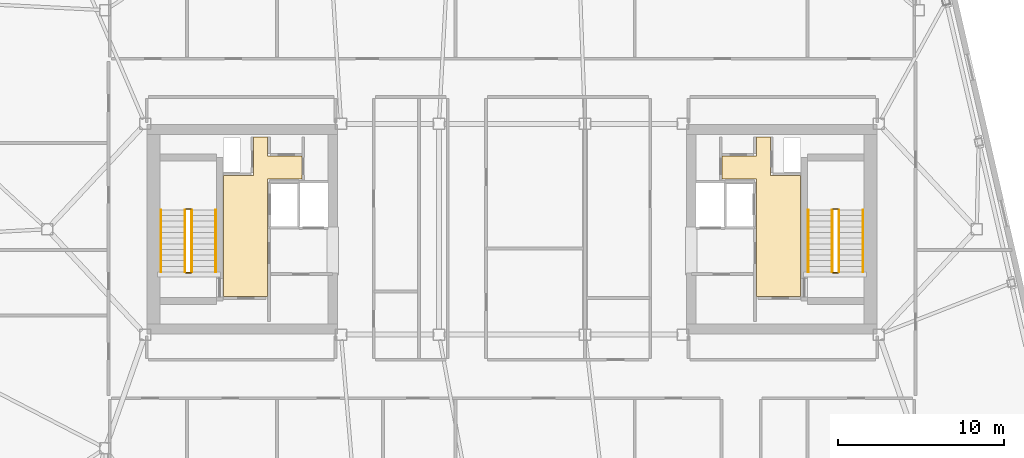
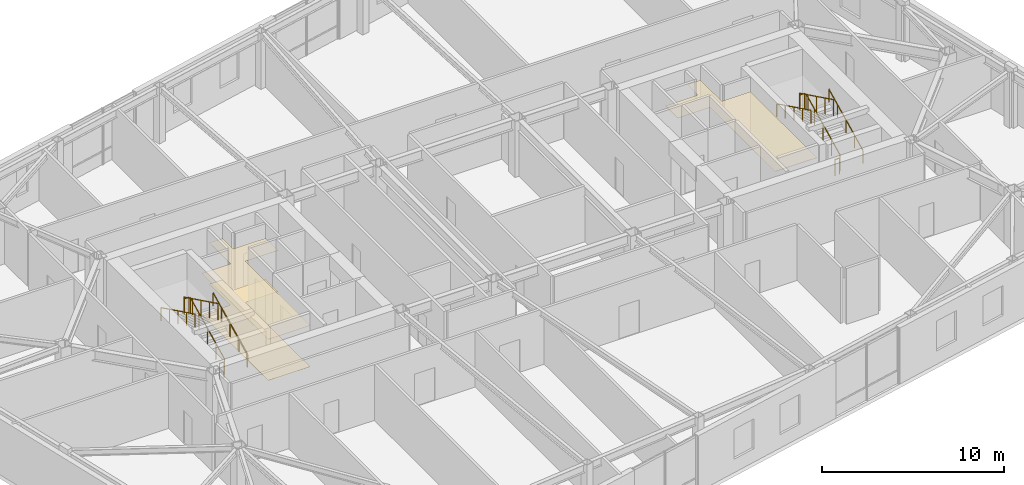
# One storey, part 23 of 23: 12 railings, 3 coverings.
"""IFC4 building model written with IfcOpenShell, lengths in metres."""

from ifc_helpers import new_model, si_unit, direction, frame, origin, origin_2d, place, context, subcontext, project, spatial, polyline, rectangle, outline, extrude, material, layer, layer_set, type_object, element, save


model = new_model("IFC4")

# Units and contexts
model_context = context("Model", 3, precision=1e-05, world=origin(), true_north=direction((0.0, 1.0)))
body_context = subcontext(model_context, "Body", "Model", "MODEL_VIEW")
ifc_project = project(units=[si_unit("LENGTHUNIT", "METRE"), si_unit("AREAUNIT", "SQUARE_METRE"), si_unit("VOLUMEUNIT", "CUBIC_METRE"), si_unit("PLANEANGLEUNIT", "RADIAN"), si_unit("MASSUNIT", "GRAM", prefix="KILO")], contexts=[model_context])

# Site, building, storey
site_placement = place(None, origin())
site = spatial("IfcSite", under=ifc_project, at=site_placement, CompositionType="ELEMENT")
building_placement = place(site_placement, origin())
building = spatial("IfcBuilding", under=site, at=building_placement, Name="Tavrogorsk Clinical Tower", CompositionType="ELEMENT")
storey_placement = place(building_placement, frame((0.0, 0.0, 297.0)))
storey = spatial("IfcBuildingStorey", under=building, at=storey_placement, Name="L69", CompositionType="ELEMENT", Elevation=297.0)

# Coverings
ifc_material_1 = material(Name="Antibacterial micro-perforated aluminium ceiling", Category="aluminium")
ifc_layer_1 = layer(ifc_material_1, 0.014892578125)
ifc_layer_set_1 = layer_set([ifc_layer_1], Name="Antibacterial micro-perforated aluminium ceiling")
covering_type_1 = type_object("IfcCoveringType", Name="ClinicalCeiling_15", PredefinedType="CEILING", material=ifc_layer_set_1)
covering_1_placement = place(storey_placement, frame((0.0, 0.0, 2.75)))
element("IfcCovering", 1, at=covering_1_placement, inside=storey, type_object=covering_type_1, Name="Core West Firefighting Lift Lobby Acoustic Ceiling", PredefinedType="CEILING", context=body_context, shape_type="SweptSolid", body=[
    extrude(outline(polyline([(-17.3798828125, -4.06005859375), (-17.3798828125, 3.239990234375), (-15.56005859375, 3.239990234375), (-15.56005859375, 5.56005859375), (-14.719970703125, 5.56005859375), (-14.719970703125, 4.39990234375), (-12.659912109375, 4.39990234375), (-12.659912109375, 3.0400390625), (-14.719970703125, 3.0400390625), (-14.719970703125, -4.06005859375), (-17.3798828125, -4.06005859375)])), origin(), (0.0, 0.0, 1.0), 0.014892578125),
])
covering_2_placement = place(storey_placement, frame((0.0, 0.0, 2.75)))
element("IfcCovering", 2, at=covering_2_placement, inside=storey, type_object=covering_type_1, Name="Core East Firefighting Lift Lobby Acoustic Ceiling", PredefinedType="CEILING", context=body_context, shape_type="SweptSolid", body=[
    extrude(outline(polyline([(14.719970703125, 3.0400390625), (12.659912109375, 3.0400390625), (12.659912109375, 4.39990234375), (14.719970703125, 4.39990234375), (14.719970703125, 5.56005859375), (15.56005859375, 5.56005859375), (15.56005859375, 3.239990234375), (17.3798828125, 3.239990234375), (17.3798828125, -4.06005859375), (14.719970703125, -4.06005859375), (14.719970703125, 3.0400390625)])), origin(), (0.0, 0.0, 1.0), 0.014892578125),
])
ifc_material_2 = material(Name="Homogeneous medical conductive PVC flooring")
ifc_layer_2 = layer(ifc_material_2, 0.008056640625)
ifc_layer_set_2 = layer_set([ifc_layer_2], Name="Homogeneous medical conductive PVC flooring")
covering_type_2 = type_object("IfcCoveringType", Name="ResilientVinylFloor_8", PredefinedType="FLOORING", material=ifc_layer_set_2)
covering_3_placement = place(storey_placement, origin())
element("IfcCovering", 3, at=covering_3_placement, inside=storey, type_object=covering_type_2, Name="Core West Firefighting Lift Lobby Conductive Vinyl Flooring", PredefinedType="FLOORING", context=body_context, shape_type="SweptSolid", body=[
    extrude(outline(polyline([(-17.3798828125, -4.06005859375), (-17.3798828125, 3.239990234375), (-15.56005859375, 3.239990234375), (-15.56005859375, 5.56005859375), (-14.719970703125, 5.56005859375), (-14.719970703125, 4.39990234375), (-12.659912109375, 4.39990234375), (-12.659912109375, 3.0400390625), (-14.719970703125, 3.0400390625), (-14.719970703125, -4.06005859375), (-17.3798828125, -4.06005859375)])), origin(), (0.0, 0.0, 1.0), 0.008056640625),
])

# Railings
ifc_material_3 = material(Name="Galvanised steel S355 safety stairwell guard", Category="steel")
ifc_layer_3 = layer(ifc_material_3, 0.06005859375)
ifc_layer_set_3 = layer_set([ifc_layer_3], Name="Galvanised steel S355 safety stairwell guard")
railing_type_1 = type_object("IfcRailingType", Name="StairGuard_1150", PredefinedType="GUARDRAIL", material=ifc_layer_set_3)
railing_1_placement = place(storey_placement, frame((-19.300048828125, -2.574951171875, 0.166748046875)))
element("IfcRailing", 4, at=railing_1_placement, inside=storey, type_object=railing_type_1, Name="L69 ST-W stair guard 1", PredefinedType="GUARDRAIL", context=body_context, shape_type="SweptSolid", body=[
    extrude(rectangle(XDim=0.048095703125, YDim=0.048095703125, at=origin_2d()), frame((0.0, 0.0, 1.076171875), z_axis=(0.0, 0.897927990467, 0.440142390523), x_axis=(-1.0, 0.0, 0.0)), (0.0, 0.0, 1.0), 4.1650390625),
    extrude(rectangle(XDim=0.0419921875, YDim=0.0419921875, at=origin_2d()), origin(), (0.0, 0.0, 1.0), 1.052001953125),
    extrude(rectangle(XDim=0.0419921875, YDim=0.0419921875, at=origin_2d()), frame((0.0, 0.93505859375, 0.458251953125)), (0.0, 0.0, 1.0), 1.052001953125),
    extrude(rectangle(XDim=0.0419921875, YDim=0.0419921875, at=origin_2d()), frame((0.0, 1.8701171875, 0.91650390625)), (0.0, 0.0, 1.0), 1.052001953125),
    extrude(rectangle(XDim=0.0419921875, YDim=0.0419921875, at=origin_2d()), frame((0.0, 2.804931640625, 1.375)), (0.0, 0.0, 1.0), 1.052001953125),
    extrude(rectangle(XDim=0.0419921875, YDim=0.0419921875, at=origin_2d()), frame((0.0, 3.739990234375, 1.833251953125)), (0.0, 0.0, 1.0), 1.052001953125),
])
railing_2_placement = place(storey_placement, frame((-19.35009765625, 1.215087890625, 2.0)))
element("IfcRailing", 5, at=railing_2_placement, inside=storey, type_object=railing_type_1, Name="L69 ST-W stair guard 2", PredefinedType="GUARDRAIL", context=body_context, shape_type="SweptSolid", body=[
    extrude(rectangle(XDim=0.048095703125, YDim=0.048095703125, at=origin_2d()), frame((0.0, 0.0, 1.076171875), z_axis=(-1.0, 0.0, 0.0), x_axis=(0.0, -1.0, 0.0)), (0.0, 0.0, 1.0), 0.2998046875),
    extrude(rectangle(XDim=0.0419921875, YDim=0.0419921875, at=origin_2d()), origin(), (0.0, 0.0, 1.0), 1.052001953125),
    extrude(rectangle(XDim=0.0419921875, YDim=0.0419921875, at=origin_2d()), frame((-0.2998046875, 0.0, 0.0)), (0.0, 0.0, 1.0), 1.052001953125),
])
railing_3_placement = place(storey_placement, frame((-19.699951171875, 1.1650390625, 2.166748046875)))
element("IfcRailing", 6, at=railing_3_placement, inside=storey, type_object=railing_type_1, Name="L69 ST-W stair guard 3", PredefinedType="GUARDRAIL", context=body_context, shape_type="SweptSolid", body=[
    extrude(rectangle(XDim=0.048095703125, YDim=0.048095703125, at=origin_2d()), frame((0.0, 0.0, 1.076171875), z_axis=(0.0, -0.897927990467, 0.440142390523), x_axis=(1.0, 0.0, 0.0)), (0.0, 0.0, 1.0), 4.1650390625),
    extrude(rectangle(XDim=0.0419921875, YDim=0.0419921875, at=origin_2d()), origin(), (0.0, 0.0, 1.0), 1.052001953125),
    extrude(rectangle(XDim=0.0419921875, YDim=0.0419921875, at=origin_2d()), frame((0.0, -0.93505859375, 0.458251953125)), (0.0, 0.0, 1.0), 1.052001953125),
    extrude(rectangle(XDim=0.0419921875, YDim=0.0419921875, at=origin_2d()), frame((0.0, -1.8701171875, 0.91650390625)), (0.0, 0.0, 1.0), 1.052001953125),
    extrude(rectangle(XDim=0.0419921875, YDim=0.0419921875, at=origin_2d()), frame((0.0, -2.804931640625, 1.375)), (0.0, 0.0, 1.0), 1.052001953125),
    extrude(rectangle(XDim=0.0419921875, YDim=0.0419921875, at=origin_2d()), frame((0.0, -3.739990234375, 1.833251953125)), (0.0, 0.0, 1.0), 1.052001953125),
])
railing_4_placement = place(storey_placement, frame((-19.35009765625, -2.625, 0.0)))
element("IfcRailing", 7, at=railing_4_placement, inside=storey, type_object=railing_type_1, Name="L69 ST-W stair guard 4", PredefinedType="GUARDRAIL", context=body_context, shape_type="SweptSolid", body=[
    extrude(rectangle(XDim=0.048095703125, YDim=0.048095703125, at=origin_2d()), frame((0.0, 0.0, 1.076171875), z_axis=(-1.0, 0.0, 0.0), x_axis=(0.0, -1.0, 0.0)), (0.0, 0.0, 1.0), 0.2998046875),
    extrude(rectangle(XDim=0.0419921875, YDim=0.0419921875, at=origin_2d()), origin(), (0.0, 0.0, 1.0), 1.052001953125),
    extrude(rectangle(XDim=0.0419921875, YDim=0.0419921875, at=origin_2d()), frame((-0.2998046875, 0.0, 0.0)), (0.0, 0.0, 1.0), 1.052001953125),
])
railing_5_placement = place(storey_placement, frame((19.699951171875, -2.574951171875, 0.166748046875)))
element("IfcRailing", 8, at=railing_5_placement, inside=storey, type_object=railing_type_1, Name="L69 ST-E stair guard 1", PredefinedType="GUARDRAIL", context=body_context, shape_type="SweptSolid", body=[
    extrude(rectangle(XDim=0.048095703125, YDim=0.048095703125, at=origin_2d()), frame((0.0, 0.0, 1.076171875), z_axis=(0.0, 0.897927990467, 0.440142390523), x_axis=(-1.0, 0.0, 0.0)), (0.0, 0.0, 1.0), 4.1650390625),
    extrude(rectangle(XDim=0.0419921875, YDim=0.0419921875, at=origin_2d()), origin(), (0.0, 0.0, 1.0), 1.052001953125),
    extrude(rectangle(XDim=0.0419921875, YDim=0.0419921875, at=origin_2d()), frame((0.0, 0.93505859375, 0.458251953125)), (0.0, 0.0, 1.0), 1.052001953125),
    extrude(rectangle(XDim=0.0419921875, YDim=0.0419921875, at=origin_2d()), frame((0.0, 1.8701171875, 0.91650390625)), (0.0, 0.0, 1.0), 1.052001953125),
    extrude(rectangle(XDim=0.0419921875, YDim=0.0419921875, at=origin_2d()), frame((0.0, 2.804931640625, 1.375)), (0.0, 0.0, 1.0), 1.052001953125),
    extrude(rectangle(XDim=0.0419921875, YDim=0.0419921875, at=origin_2d()), frame((0.0, 3.739990234375, 1.833251953125)), (0.0, 0.0, 1.0), 1.052001953125),
])
railing_6_placement = place(storey_placement, frame((19.64990234375, 1.215087890625, 2.0)))
element("IfcRailing", 9, at=railing_6_placement, inside=storey, type_object=railing_type_1, Name="L69 ST-E stair guard 2", PredefinedType="GUARDRAIL", context=body_context, shape_type="SweptSolid", body=[
    extrude(rectangle(XDim=0.048095703125, YDim=0.048095703125, at=origin_2d()), frame((0.0, 0.0, 1.076171875), z_axis=(-1.0, 0.0, 0.0), x_axis=(0.0, -1.0, 0.0)), (0.0, 0.0, 1.0), 0.2998046875),
    extrude(rectangle(XDim=0.0419921875, YDim=0.0419921875, at=origin_2d()), origin(), (0.0, 0.0, 1.0), 1.052001953125),
    extrude(rectangle(XDim=0.0419921875, YDim=0.0419921875, at=origin_2d()), frame((-0.2998046875, 0.0, 0.0)), (0.0, 0.0, 1.0), 1.052001953125),
])
railing_7_placement = place(storey_placement, frame((19.300048828125, 1.1650390625, 2.166748046875)))
element("IfcRailing", 10, at=railing_7_placement, inside=storey, type_object=railing_type_1, Name="L69 ST-E stair guard 3", PredefinedType="GUARDRAIL", context=body_context, shape_type="SweptSolid", body=[
    extrude(rectangle(XDim=0.048095703125, YDim=0.048095703125, at=origin_2d()), frame((0.0, 0.0, 1.076171875), z_axis=(0.0, -0.897927990467, 0.440142390523), x_axis=(1.0, 0.0, 0.0)), (0.0, 0.0, 1.0), 4.1650390625),
    extrude(rectangle(XDim=0.0419921875, YDim=0.0419921875, at=origin_2d()), origin(), (0.0, 0.0, 1.0), 1.052001953125),
    extrude(rectangle(XDim=0.0419921875, YDim=0.0419921875, at=origin_2d()), frame((0.0, -0.93505859375, 0.458251953125)), (0.0, 0.0, 1.0), 1.052001953125),
    extrude(rectangle(XDim=0.0419921875, YDim=0.0419921875, at=origin_2d()), frame((0.0, -1.8701171875, 0.91650390625)), (0.0, 0.0, 1.0), 1.052001953125),
    extrude(rectangle(XDim=0.0419921875, YDim=0.0419921875, at=origin_2d()), frame((0.0, -2.804931640625, 1.375)), (0.0, 0.0, 1.0), 1.052001953125),
    extrude(rectangle(XDim=0.0419921875, YDim=0.0419921875, at=origin_2d()), frame((0.0, -3.739990234375, 1.833251953125)), (0.0, 0.0, 1.0), 1.052001953125),
])
railing_8_placement = place(storey_placement, frame((19.64990234375, -2.625, 0.0)))
element("IfcRailing", 11, at=railing_8_placement, inside=storey, type_object=railing_type_1, Name="L69 ST-E stair guard 4", PredefinedType="GUARDRAIL", context=body_context, shape_type="SweptSolid", body=[
    extrude(rectangle(XDim=0.048095703125, YDim=0.048095703125, at=origin_2d()), frame((0.0, 0.0, 1.076171875), z_axis=(-1.0, 0.0, 0.0), x_axis=(0.0, -1.0, 0.0)), (0.0, 0.0, 1.0), 0.2998046875),
    extrude(rectangle(XDim=0.0419921875, YDim=0.0419921875, at=origin_2d()), origin(), (0.0, 0.0, 1.0), 1.052001953125),
    extrude(rectangle(XDim=0.0419921875, YDim=0.0419921875, at=origin_2d()), frame((-0.2998046875, 0.0, 0.0)), (0.0, 0.0, 1.0), 1.052001953125),
])
ifc_material_4 = material(Name="Stainless steel AISI 304 tubular handrail", Category="steel")
ifc_layer_4 = layer(ifc_material_4, 0.050048828125)
ifc_layer_set_4 = layer_set([ifc_layer_4], Name="Stainless steel AISI 304 tubular handrail")
railing_type_2 = type_object("IfcRailingType", Name="StairHandrail_920", PredefinedType="HANDRAIL", material=ifc_layer_set_4)
railing_9_placement = place(storey_placement, frame((-17.85009765625, -2.574951171875, 0.166748046875)))
element("IfcRailing", 12, at=railing_9_placement, inside=storey, type_object=railing_type_2, Name="L69 ST-W stair handrail 1", PredefinedType="HANDRAIL", context=body_context, shape_type="SweptSolid", body=[
    extrude(rectangle(XDim=0.048095703125, YDim=0.048095703125, at=origin_2d()), frame((0.0, 0.0, 0.8759765625), z_axis=(0.0, 0.897927990467, 0.440142390523), x_axis=(-1.0, 0.0, 0.0)), (0.0, 0.0, 1.0), 4.1650390625),
    extrude(rectangle(XDim=0.0419921875, YDim=0.0419921875, at=origin_2d()), origin(), (0.0, 0.0, 1.0), 0.851806640625),
    extrude(rectangle(XDim=0.0419921875, YDim=0.0419921875, at=origin_2d()), frame((0.0, 0.93505859375, 0.458251953125)), (0.0, 0.0, 1.0), 0.851806640625),
    extrude(rectangle(XDim=0.0419921875, YDim=0.0419921875, at=origin_2d()), frame((0.0, 1.8701171875, 0.91650390625)), (0.0, 0.0, 1.0), 0.851806640625),
    extrude(rectangle(XDim=0.0419921875, YDim=0.0419921875, at=origin_2d()), frame((0.0, 2.804931640625, 1.375)), (0.0, 0.0, 1.0), 0.851806640625),
    extrude(rectangle(XDim=0.0419921875, YDim=0.0419921875, at=origin_2d()), frame((0.0, 3.739990234375, 1.833251953125)), (0.0, 0.0, 1.0), 0.851806640625),
])
railing_10_placement = place(storey_placement, frame((-21.14990234375, 1.1650390625, 2.166748046875)))
element("IfcRailing", 13, at=railing_10_placement, inside=storey, type_object=railing_type_2, Name="L69 ST-W stair handrail 2", PredefinedType="HANDRAIL", context=body_context, shape_type="SweptSolid", body=[
    extrude(rectangle(XDim=0.048095703125, YDim=0.048095703125, at=origin_2d()), frame((0.0, 0.0, 0.8759765625), z_axis=(0.0, -0.897927990467, 0.440142390523), x_axis=(1.0, 0.0, 0.0)), (0.0, 0.0, 1.0), 4.1650390625),
    extrude(rectangle(XDim=0.0419921875, YDim=0.0419921875, at=origin_2d()), origin(), (0.0, 0.0, 1.0), 0.851806640625),
    extrude(rectangle(XDim=0.0419921875, YDim=0.0419921875, at=origin_2d()), frame((0.0, -0.93505859375, 0.458251953125)), (0.0, 0.0, 1.0), 0.851806640625),
    extrude(rectangle(XDim=0.0419921875, YDim=0.0419921875, at=origin_2d()), frame((0.0, -1.8701171875, 0.91650390625)), (0.0, 0.0, 1.0), 0.851806640625),
    extrude(rectangle(XDim=0.0419921875, YDim=0.0419921875, at=origin_2d()), frame((0.0, -2.804931640625, 1.375)), (0.0, 0.0, 1.0), 0.851806640625),
    extrude(rectangle(XDim=0.0419921875, YDim=0.0419921875, at=origin_2d()), frame((0.0, -3.739990234375, 1.833251953125)), (0.0, 0.0, 1.0), 0.851806640625),
])
railing_11_placement = place(storey_placement, frame((21.14990234375, -2.574951171875, 0.166748046875)))
element("IfcRailing", 14, at=railing_11_placement, inside=storey, type_object=railing_type_2, Name="L69 ST-E stair handrail 1", PredefinedType="HANDRAIL", context=body_context, shape_type="SweptSolid", body=[
    extrude(rectangle(XDim=0.048095703125, YDim=0.048095703125, at=origin_2d()), frame((0.0, 0.0, 0.8759765625), z_axis=(0.0, 0.897927990467, 0.440142390523), x_axis=(-1.0, 0.0, 0.0)), (0.0, 0.0, 1.0), 4.1650390625),
    extrude(rectangle(XDim=0.0419921875, YDim=0.0419921875, at=origin_2d()), origin(), (0.0, 0.0, 1.0), 0.851806640625),
    extrude(rectangle(XDim=0.0419921875, YDim=0.0419921875, at=origin_2d()), frame((0.0, 0.93505859375, 0.458251953125)), (0.0, 0.0, 1.0), 0.851806640625),
    extrude(rectangle(XDim=0.0419921875, YDim=0.0419921875, at=origin_2d()), frame((0.0, 1.8701171875, 0.91650390625)), (0.0, 0.0, 1.0), 0.851806640625),
    extrude(rectangle(XDim=0.0419921875, YDim=0.0419921875, at=origin_2d()), frame((0.0, 2.804931640625, 1.375)), (0.0, 0.0, 1.0), 0.851806640625),
    extrude(rectangle(XDim=0.0419921875, YDim=0.0419921875, at=origin_2d()), frame((0.0, 3.739990234375, 1.833251953125)), (0.0, 0.0, 1.0), 0.851806640625),
])
railing_12_placement = place(storey_placement, frame((17.85009765625, 1.1650390625, 2.166748046875)))
element("IfcRailing", 15, at=railing_12_placement, inside=storey, type_object=railing_type_2, Name="L69 ST-E stair handrail 2", PredefinedType="HANDRAIL", context=body_context, shape_type="SweptSolid", body=[
    extrude(rectangle(XDim=0.048095703125, YDim=0.048095703125, at=origin_2d()), frame((0.0, 0.0, 0.8759765625), z_axis=(0.0, -0.897927990467, 0.440142390523), x_axis=(1.0, 0.0, 0.0)), (0.0, 0.0, 1.0), 4.1650390625),
    extrude(rectangle(XDim=0.0419921875, YDim=0.0419921875, at=origin_2d()), origin(), (0.0, 0.0, 1.0), 0.851806640625),
    extrude(rectangle(XDim=0.0419921875, YDim=0.0419921875, at=origin_2d()), frame((0.0, -0.93505859375, 0.458251953125)), (0.0, 0.0, 1.0), 0.851806640625),
    extrude(rectangle(XDim=0.0419921875, YDim=0.0419921875, at=origin_2d()), frame((0.0, -1.8701171875, 0.91650390625)), (0.0, 0.0, 1.0), 0.851806640625),
    extrude(rectangle(XDim=0.0419921875, YDim=0.0419921875, at=origin_2d()), frame((0.0, -2.804931640625, 1.375)), (0.0, 0.0, 1.0), 0.851806640625),
    extrude(rectangle(XDim=0.0419921875, YDim=0.0419921875, at=origin_2d()), frame((0.0, -3.739990234375, 1.833251953125)), (0.0, 0.0, 1.0), 0.851806640625),
])

save(model, "model.ifc")
